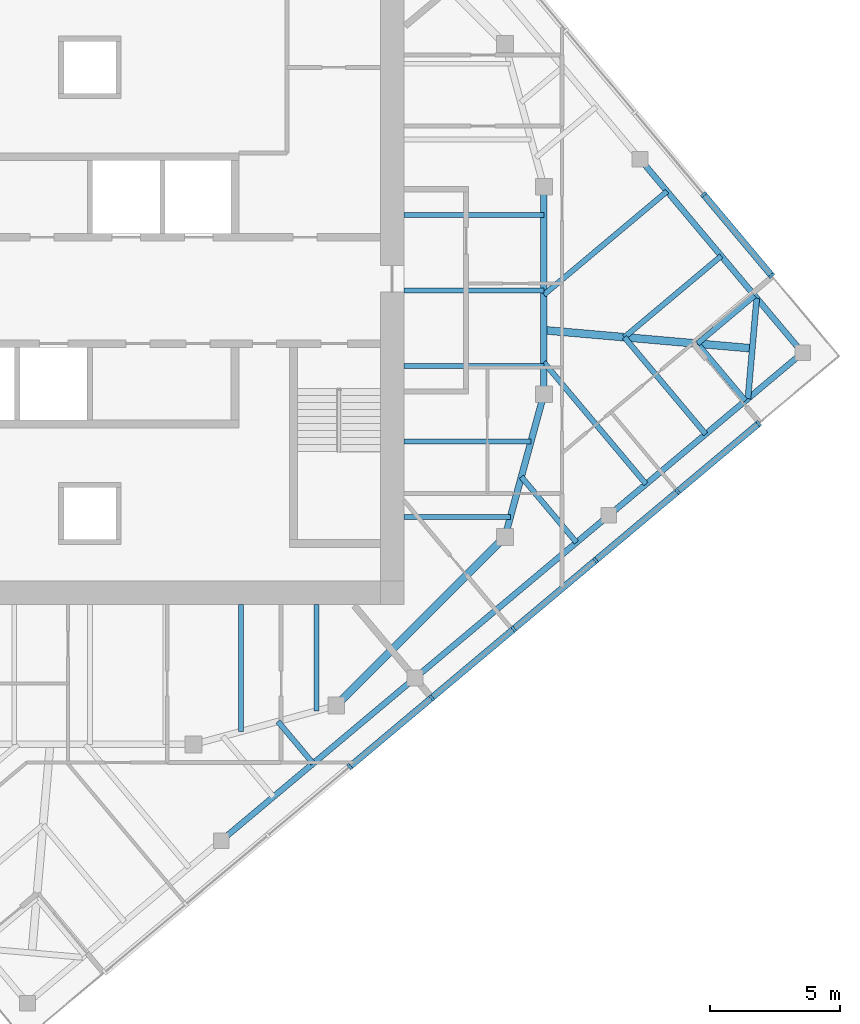
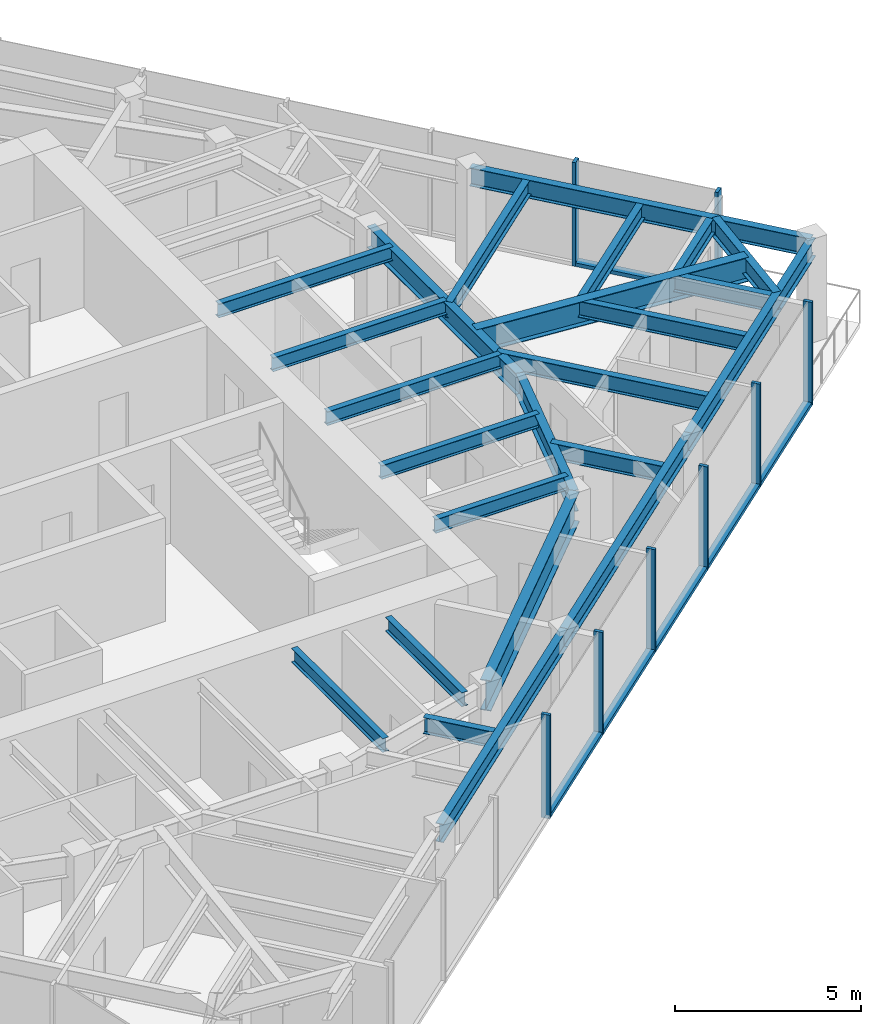
# One storey, part 3 of 12: 24 beams, 14 members, 2 elements without a shape of their own.
"""IFC4 building model written with IfcOpenShell, lengths in metres."""

from ifc_helpers import new_model, si_unit, direction, frame, origin, origin_2d, place, context, subcontext, project, spatial, rectangle, i_section, extrude, material, material_profile, profile_set, type_object, element, aggregate, save


model = new_model("IFC4")

# Units and contexts
model_context = context("Model", 3, precision=1e-05, world=origin(), true_north=direction((0.0, 1.0)))
body_context = subcontext(model_context, "Body", "Model", "MODEL_VIEW")
ifc_project = project(units=[si_unit("LENGTHUNIT", "METRE"), si_unit("AREAUNIT", "SQUARE_METRE"), si_unit("VOLUMEUNIT", "CUBIC_METRE"), si_unit("PLANEANGLEUNIT", "RADIAN"), si_unit("MASSUNIT", "GRAM", prefix="KILO")], contexts=[model_context])

# Site, building, storey
site_placement = place(None, origin())
site = spatial("IfcSite", under=ifc_project, at=site_placement, CompositionType="ELEMENT")
building_placement = place(site_placement, origin())
building = spatial("IfcBuilding", under=site, at=building_placement, Name="Torsade Residences", CompositionType="ELEMENT")
storey_placement = place(building_placement, frame((0.0, 0.0, 293.0)))
storey = spatial("IfcBuildingStorey", under=building, at=storey_placement, Name="L81", CompositionType="ELEMENT", Elevation=293.0)

# Beams
ifc_material_1 = material(Name="Steel grade 300", Category="steel")
ifc_material_profile_1 = material_profile(ifc_material_1, i_section(OverallWidth=0.300048828125, OverallDepth=0.800048828125, WebThickness=0.010009765625, FlangeThickness=0.02001953125, at=origin_2d()), Name="800WB146")
ifc_profile_set_1 = profile_set([ifc_material_profile_1], Name="Steel grade 300")
beam_type_1 = type_object("IfcBeamType", Name="CORNER GIRDER 800WB146", PredefinedType="BEAM", material=ifc_profile_set_1)
beam_1_placement = place(storey_placement, frame((65.53515625, 27.765869140625, 2.85009765625), z_axis=(-0.996193191806, 0.087172957961, 0.0), x_axis=(-0.087172957961, -0.996193191806, 0.0)))
element("IfcBeam", 1, at=beam_1_placement, inside=storey, type_object=beam_type_1, Name="Corner girder 05 L82", PredefinedType="BEAM", context=body_context, shape_type="SweptSolid", body=[
    extrude(i_section(OverallWidth=0.300048828125, OverallDepth=0.800048828125, WebThickness=0.010009765625, FlangeThickness=0.02001953125, at=origin_2d()), origin(), (0.0, 0.0, 1.0), 8.06591796875),
])
ifc_material_2 = material(Name="Steel grade 300", Category="steel")
ifc_material_profile_2 = material_profile(ifc_material_2, i_section(OverallWidth=0.22802734375, OverallDepth=0.60205078125, WebThickness=0.010498046875, FlangeThickness=0.014892578125, FilletRadius=0.013916015625, at=origin_2d()), Name="610UB101")
ifc_profile_set_2 = profile_set([ifc_material_profile_2], Name="Steel grade 300")
beam_type_2 = type_object("IfcBeamType", Name="CORNER TRIMMER 610UB101", PredefinedType="BEAM", material=ifc_profile_set_2)
beam_2_placement = place(storey_placement, frame((65.70458984375, 29.703125, 2.948974609375), z_axis=(-0.087133464362, -0.996196646947, 0.0), x_axis=(0.996196646947, -0.087133464362, 0.0)))
element("IfcBeam", 2, at=beam_2_placement, inside=storey, type_object=beam_type_2, Name="Corner trimmer 05 L82", PredefinedType="BEAM", context=body_context, shape_type="SweptSolid", body=[
    extrude(i_section(OverallWidth=0.22802734375, OverallDepth=0.60205078125, WebThickness=0.010498046875, FlangeThickness=0.014892578125, FilletRadius=0.013916015625, at=origin_2d()), origin(), (0.0, 0.0, 1.0), 3.88916015625),
])
ifc_material_3 = material(Name="Steel grade 300", Category="steel")
ifc_material_profile_3 = material_profile(ifc_material_3, i_section(OverallWidth=0.22802734375, OverallDepth=0.60205078125, WebThickness=0.010498046875, FlangeThickness=0.014892578125, FilletRadius=0.013916015625, at=origin_2d()), Name="610UB101")
ifc_profile_set_3 = profile_set([ifc_material_profile_3], Name="Steel grade 300")
beam_type_3 = type_object("IfcBeamType", Name="EDGE BEAM 610UB101", PredefinedType="SPANDREL", material=ifc_profile_set_3)
for number, where, z_axis, x_axis, name in (
    (3, (45.0654296875, 8.794921875, 2.948974609375), (0.766051532934, 0.642779160279, 0.0), (-0.642779160279, 0.766051532934, 0.0), "Edge beam 02 L82"),
    (4, (52.534423828125, 15.06201171875, 2.948974609375), (0.766028856906, 0.642806184154, 0.0), (-0.642806184154, 0.766028856906, 0.0), "Edge beam 03 L82"),
    (5, (60.003173828125, 21.329345703125, 2.948974609375), (0.766051532934, 0.642779160279, 0.0), (-0.642779160279, 0.766051532934, 0.0), "Edge beam 04 L82"),
    (6, (67.47216796875, 27.596435546875, 2.948974609375), (-0.642779160279, 0.766051532934, 0.0), (-0.766051532934, -0.642779160279, 0.0), "Edge beam 05 L82"),
):
    element("IfcBeam", number, at=place(storey_placement, frame(where, z_axis=z_axis, x_axis=x_axis)), inside=storey, type_object=beam_type_3, Name=name, PredefinedType="SPANDREL", context=body_context, shape_type="SweptSolid", body=[
        extrude(i_section(OverallWidth=0.22802734375, OverallDepth=0.60205078125, WebThickness=0.010498046875, FlangeThickness=0.014892578125, FilletRadius=0.013916015625, at=origin_2d()), origin(), (0.0, 0.0, 1.0), 9.75),
    ])

# Curtain wall, members
ifc_material_4 = material(Name="Aluminium and glass", Category="aluminium")
curtain_wall_type = type_object("IfcCurtainWallType", Name="FRITTED GLASS CURTAIN WALL HIGH ZONE", PredefinedType="NOTDEFINED", material=ifc_material_4)
curtain_wall_1_placement = place(storey_placement, origin())
curtain_wall_1 = element("IfcCurtainWall", 7, at=curtain_wall_1_placement, inside=storey, type_object=curtain_wall_type, Name="Curtain wall L81 face 1", PredefinedType="NOTDEFINED")
ifc_material_5 = material(Name="Aluminium mullion", Category="aluminium")
ifc_material_profile_4 = material_profile(ifc_material_5, rectangle(XDim=0.25, YDim=0.10009765625, at=origin_2d()), Name="HIGH ZONE CURTAIN WALL MULLION 250x100")
ifc_profile_set_4 = profile_set([ifc_material_profile_4], Name="Aluminium mullion")
member_type_1 = type_object("IfcMemberType", Name="HIGH ZONE CURTAIN WALL MULLION 250x100", PredefinedType="MULLION", material=ifc_profile_set_4)
member_1_placement = place(storey_placement, frame((50.017333984375, 11.64453125, 0.0), z_axis=(0.0, 0.0, 1.0), x_axis=(-0.642787616853, 0.766044437106, 0.0)))
member_1 = element("IfcMember", 8, at=member_1_placement, type_object=member_type_1, Name="Mullion 4", PredefinedType="MULLION", context=body_context, shape_type="SweptSolid", body=[
    extrude(rectangle(XDim=0.25, YDim=0.10009765625, at=origin_2d()), origin(), (0.0, 0.0, 1.0), 3.39990234375),
])
member_2_placement = place(storey_placement, frame((53.17724609375, 14.296142578125, 0.0), z_axis=(0.0, 0.0, 1.0), x_axis=(-0.642787616853, 0.766044437106, 0.0)))
member_2 = element("IfcMember", 9, at=member_2_placement, type_object=member_type_1, Name="Mullion 5", PredefinedType="MULLION", context=body_context, shape_type="SweptSolid", body=[
    extrude(rectangle(XDim=0.25, YDim=0.10009765625, at=origin_2d()), origin(), (0.0, 0.0, 1.0), 3.39990234375),
])
member_3_placement = place(storey_placement, frame((56.337158203125, 16.947509765625, 0.0), z_axis=(0.0, 0.0, 1.0), x_axis=(-0.642787616853, 0.766044437106, 0.0)))
member_3 = element("IfcMember", 10, at=member_3_placement, type_object=member_type_1, Name="Mullion 6", PredefinedType="MULLION", context=body_context, shape_type="SweptSolid", body=[
    extrude(rectangle(XDim=0.25, YDim=0.10009765625, at=origin_2d()), origin(), (0.0, 0.0, 1.0), 3.39990234375),
])
member_4_placement = place(storey_placement, frame((59.4970703125, 19.59912109375, 0.0), z_axis=(0.0, 0.0, 1.0), x_axis=(-0.642787616853, 0.766044437106, 0.0)))
member_4 = element("IfcMember", 11, at=member_4_placement, type_object=member_type_1, Name="Mullion 7", PredefinedType="MULLION", context=body_context, shape_type="SweptSolid", body=[
    extrude(rectangle(XDim=0.25, YDim=0.10009765625, at=origin_2d()), origin(), (0.0, 0.0, 1.0), 3.39990234375),
])
member_5_placement = place(storey_placement, frame((62.656982421875, 22.25048828125, 0.0), z_axis=(0.0, 0.0, 1.0), x_axis=(-0.642787616853, 0.766044437106, 0.0)))
member_5 = element("IfcMember", 12, at=member_5_placement, type_object=member_type_1, Name="Mullion 8", PredefinedType="MULLION", context=body_context, shape_type="SweptSolid", body=[
    extrude(rectangle(XDim=0.25, YDim=0.10009765625, at=origin_2d()), origin(), (0.0, 0.0, 1.0), 3.39990234375),
])
member_6_placement = place(storey_placement, frame((65.778564453125, 24.869873046875, 0.0), z_axis=(0.0, 0.0, 1.0), x_axis=(-0.642787616853, 0.766044437106, 0.0)))
member_6 = element("IfcMember", 13, at=member_6_placement, type_object=member_type_1, Name="Mullion 9", PredefinedType="MULLION", context=body_context, shape_type="SweptSolid", body=[
    extrude(rectangle(XDim=0.25, YDim=0.10009765625, at=origin_2d()), origin(), (0.0, 0.0, 1.0), 3.39990234375),
])

curtain_wall_2_placement = place(storey_placement, origin())
curtain_wall_2 = element("IfcCurtainWall", 14, at=curtain_wall_2_placement, inside=storey, type_object=curtain_wall_type, Name="Curtain wall L81 face 4", PredefinedType="NOTDEFINED")
member_7_placement = place(storey_placement, frame((66.27783203125, 30.57568359375, 0.0), z_axis=(0.0, 0.0, 1.0), x_axis=(-0.766044437106, -0.642787616853, 0.0)))
member_7 = element("IfcMember", 15, at=member_7_placement, type_object=member_type_1, Name="Mullion 1", PredefinedType="MULLION", context=body_context, shape_type="SweptSolid", body=[
    extrude(rectangle(XDim=0.25, YDim=0.10009765625, at=origin_2d()), origin(), (0.0, 0.0, 1.0), 3.39990234375),
])
member_8_placement = place(storey_placement, frame((63.658447265625, 33.697265625, 0.0), z_axis=(0.0, 0.0, 1.0), x_axis=(-0.766044437106, -0.642787616853, 0.0)))
member_8 = element("IfcMember", 16, at=member_8_placement, type_object=member_type_1, Name="Mullion 2", PredefinedType="MULLION", context=body_context, shape_type="SweptSolid", body=[
    extrude(rectangle(XDim=0.25, YDim=0.10009765625, at=origin_2d()), origin(), (0.0, 0.0, 1.0), 3.39990234375),
])

# Member
ifc_material_6 = material(Name="Aluminium transom", Category="aluminium")
ifc_material_profile_5 = material_profile(ifc_material_6, rectangle(XDim=0.25, YDim=0.1201171875, at=origin_2d()), Name="HIGH ZONE CURTAIN WALL TRANSOM 250x120")
ifc_profile_set_5 = profile_set([ifc_material_profile_5], Name="Aluminium transom")
member_type_2 = type_object("IfcMemberType", Name="HIGH ZONE CURTAIN WALL TRANSOM 250x120", PredefinedType="USERDEFINED", material=ifc_profile_set_5)
member_9_placement = place(storey_placement, frame((50.055419921875, 11.6767578125, 0.06005859375), z_axis=(0.766069182322, 0.6427581255, 0.0), x_axis=(-0.6427581255, 0.766069182322, 0.0)))
member_9 = element("IfcMember", 17, at=member_9_placement, type_object=member_type_2, Name="Transom 4.1", ObjectType="TRANSOM", PredefinedType="USERDEFINED", context=body_context, shape_type="SweptSolid", body=[
    extrude(rectangle(XDim=0.25, YDim=0.1201171875, at=origin_2d()), origin(), (0.0, 0.0, 1.0), 4.025146484375),
])

member_10_placement = place(storey_placement, frame((53.21533203125, 14.328125, 0.06005859375), z_axis=(0.766039316443, 0.642793719372, 0.0), x_axis=(-0.642793719372, 0.766039316443, 0.0)))
member_10 = element("IfcMember", 18, at=member_10_placement, type_object=member_type_2, Name="Transom 5.1", ObjectType="TRANSOM", PredefinedType="USERDEFINED", context=body_context, shape_type="SweptSolid", body=[
    extrude(rectangle(XDim=0.25, YDim=0.1201171875, at=origin_2d()), origin(), (0.0, 0.0, 1.0), 4.025146484375),
])

member_11_placement = place(storey_placement, frame((56.37548828125, 16.979736328125, 0.06005859375), z_axis=(0.766044121803, 0.642787992616, 0.0), x_axis=(-0.642787992616, 0.766044121803, 0.0)))
member_11 = element("IfcMember", 19, at=member_11_placement, type_object=member_type_2, Name="Transom 6.1", ObjectType="TRANSOM", PredefinedType="USERDEFINED", context=body_context, shape_type="SweptSolid", body=[
    extrude(rectangle(XDim=0.25, YDim=0.1201171875, at=origin_2d()), origin(), (0.0, 0.0, 1.0), 4.02490234375),
])

member_12_placement = place(storey_placement, frame((59.535400390625, 19.63134765625, 0.06005859375), z_axis=(0.766044121803, 0.642787992616, 0.0), x_axis=(-0.642787992616, 0.766044121803, 0.0)))
member_12 = element("IfcMember", 20, at=member_12_placement, type_object=member_type_2, Name="Transom 7.1", ObjectType="TRANSOM", PredefinedType="USERDEFINED", context=body_context, shape_type="SweptSolid", body=[
    extrude(rectangle(XDim=0.25, YDim=0.1201171875, at=origin_2d()), origin(), (0.0, 0.0, 1.0), 4.02490234375),
])

member_13_placement = place(storey_placement, frame((62.6953125, 22.28271484375, 0.06005859375), z_axis=(0.766021778456, 0.642814619413, 0.0), x_axis=(-0.642814619413, 0.766021778456, 0.0)))
member_13 = element("IfcMember", 21, at=member_13_placement, type_object=member_type_2, Name="Transom 8.1", ObjectType="TRANSOM", PredefinedType="USERDEFINED", context=body_context, shape_type="SweptSolid", body=[
    extrude(rectangle(XDim=0.25, YDim=0.1201171875, at=origin_2d()), origin(), (0.0, 0.0, 1.0), 3.97509765625),
])

aggregate(curtain_wall_1, [member_1, member_2, member_3, member_4, member_5, member_6, member_9, member_10, member_11, member_12, member_13])

member_14_placement = place(storey_placement, frame((66.24560546875, 30.614013671875, 0.06005859375), z_axis=(-0.642814619413, 0.766021778456, 0.0), x_axis=(-0.766021778456, -0.642814619413, 0.0)))
member_14 = element("IfcMember", 22, at=member_14_placement, type_object=member_type_2, Name="Transom 1.1", ObjectType="TRANSOM", PredefinedType="USERDEFINED", context=body_context, shape_type="SweptSolid", body=[
    extrude(rectangle(XDim=0.25, YDim=0.1201171875, at=origin_2d()), origin(), (0.0, 0.0, 1.0), 3.97509765625),
])

aggregate(curtain_wall_2, [member_7, member_8, member_14])

# Beams
ifc_material_7 = material(Name="Steel grade 300", Category="steel")
ifc_material_profile_6 = material_profile(ifc_material_7, i_section(OverallWidth=0.18994140625, OverallDepth=0.4541015625, WebThickness=0.008544921875, FlangeThickness=0.0126953125, FilletRadius=0.011474609375, at=origin_2d()), Name="460UB67.1")
ifc_profile_set_6 = profile_set([ifc_material_profile_6], Name="Steel grade 300")
beam_type_4 = type_object("IfcBeamType", Name="INNER FLOOR BEAM 460UB67.1", PredefinedType="JOIST", material=ifc_profile_set_6)
beam_3_placement = place(storey_placement, frame((48.737548828125, 17.89990234375, 3.02294921875), z_axis=(0.0, -1.0, 0.0), x_axis=(1.0, 0.0, 0.0)))
element("IfcBeam", 23, at=beam_3_placement, inside=storey, type_object=beam_type_4, Name="Inner floor beam IS01 L82", PredefinedType="JOIST", context=body_context, shape_type="SweptSolid", body=[
    extrude(i_section(OverallWidth=0.18994140625, OverallDepth=0.4541015625, WebThickness=0.008544921875, FlangeThickness=0.0126953125, FilletRadius=0.011474609375, at=origin_2d()), origin(), (0.0, 0.0, 1.0), 4.10791015625),
])
beam_4_placement = place(storey_placement, frame((45.824951171875, 17.89990234375, 3.02294921875), z_axis=(0.0, -1.0, 0.0), x_axis=(1.0, 0.0, 0.0)))
element("IfcBeam", 24, at=beam_4_placement, inside=storey, type_object=beam_type_4, Name="Inner floor beam IS02 L82", PredefinedType="JOIST", context=body_context, shape_type="SweptSolid", body=[
    extrude(i_section(OverallWidth=0.18994140625, OverallDepth=0.4541015625, WebThickness=0.008544921875, FlangeThickness=0.0126953125, FilletRadius=0.011474609375, at=origin_2d()), origin(), (0.0, 0.0, 1.0), 4.902099609375),
])
beam_5_placement = place(storey_placement, frame((52.10009765625, 21.262451171875, 3.02294921875), z_axis=(1.0, 0.0, 0.0), x_axis=(0.0, 1.0, 0.0)))
element("IfcBeam", 25, at=beam_5_placement, inside=storey, type_object=beam_type_4, Name="Inner floor beam IE01 L82", PredefinedType="JOIST", context=body_context, shape_type="SweptSolid", body=[
    extrude(i_section(OverallWidth=0.18994140625, OverallDepth=0.4541015625, WebThickness=0.008544921875, FlangeThickness=0.0126953125, FilletRadius=0.011474609375, at=origin_2d()), origin(), (0.0, 0.0, 1.0), 4.10791015625),
])
beam_6_placement = place(storey_placement, frame((52.10009765625, 24.175048828125, 3.02294921875), z_axis=(1.0, 0.0, 0.0), x_axis=(0.0, 1.0, 0.0)))
element("IfcBeam", 26, at=beam_6_placement, inside=storey, type_object=beam_type_4, Name="Inner floor beam IE02 L82", PredefinedType="JOIST", context=body_context, shape_type="SweptSolid", body=[
    extrude(i_section(OverallWidth=0.18994140625, OverallDepth=0.4541015625, WebThickness=0.008544921875, FlangeThickness=0.0126953125, FilletRadius=0.011474609375, at=origin_2d()), origin(), (0.0, 0.0, 1.0), 4.902099609375),
])
for number, where, z_axis, x_axis, name in (
    (27, (52.10009765625, 27.08740234375, 3.02294921875), (1.0, 0.0, 0.0), (0.0, 1.0, 0.0), "Inner floor beam IE03 L82"),
    (28, (52.10009765625, 30.0, 3.02294921875), (1.0, 0.0, 0.0), (0.0, 1.0, 0.0), "Inner floor beam IE04 L82"),
    (29, (52.10009765625, 32.91259765625, 3.02294921875), (1.0, 0.0, 0.0), (0.0, 1.0, 0.0), "Inner floor beam IE05 L82"),
):
    element("IfcBeam", number, at=place(storey_placement, frame(where, z_axis=z_axis, x_axis=x_axis)), inside=storey, type_object=beam_type_4, Name=name, PredefinedType="JOIST", context=body_context, shape_type="SweptSolid", body=[
        extrude(i_section(OverallWidth=0.18994140625, OverallDepth=0.4541015625, WebThickness=0.008544921875, FlangeThickness=0.0126953125, FilletRadius=0.011474609375, at=origin_2d()), origin(), (0.0, 0.0, 1.0), 5.39990234375),
    ])
ifc_material_8 = material(Name="Steel grade 300", Category="steel")
ifc_material_profile_7 = material_profile(ifc_material_8, i_section(OverallWidth=0.300048828125, OverallDepth=1.0, WebThickness=0.01611328125, FlangeThickness=0.028076171875, at=origin_2d()), Name="1000WB215")
ifc_profile_set_7 = profile_set([ifc_material_profile_7], Name="Steel grade 300")
beam_type_5 = type_object("IfcBeamType", Name="RING CORNER GIRDER 1000WB215", PredefinedType="BEAM", material=ifc_profile_set_7)
beam_7_placement = place(storey_placement, frame((49.5, 14.0, 2.75), z_axis=(0.707106781187, 0.707106781187, 0.0), x_axis=(-0.707106781187, 0.707106781187, 0.0)))
element("IfcBeam", 30, at=beam_7_placement, inside=storey, type_object=beam_type_5, Name="Ring girder IR15 L82", PredefinedType="BEAM", context=body_context, shape_type="SweptSolid", body=[
    extrude(i_section(OverallWidth=0.300048828125, OverallDepth=1.0, WebThickness=0.01611328125, FlangeThickness=0.028076171875, at=origin_2d()), origin(), (0.0, 0.0, 1.0), 9.1923828125),
])
ifc_material_9 = material(Name="Steel grade 300", Category="steel")
ifc_material_profile_8 = material_profile(ifc_material_9, i_section(OverallWidth=0.25, OverallDepth=0.699951171875, WebThickness=0.010009765625, FlangeThickness=0.02001953125, at=origin_2d()), Name="700WB130")
ifc_profile_set_8 = profile_set([ifc_material_profile_8], Name="Steel grade 300")
beam_type_6 = type_object("IfcBeamType", Name="RING GIRDER 700WB130", PredefinedType="BEAM", material=ifc_profile_set_8)
beam_8_placement = place(storey_placement, frame((57.5, 26.0, 2.89990234375), z_axis=(0.0, 1.0, 0.0), x_axis=(-1.0, 0.0, 0.0)))
element("IfcBeam", 31, at=beam_8_placement, inside=storey, type_object=beam_type_6, Name="Ring girder IR01 L82", PredefinedType="BEAM", context=body_context, shape_type="SweptSolid", body=[
    extrude(i_section(OverallWidth=0.25, OverallDepth=0.699951171875, WebThickness=0.010009765625, FlangeThickness=0.02001953125, at=origin_2d()), origin(), (0.0, 0.0, 1.0), 8.0),
])
beam_9_placement = place(storey_placement, frame((56.0, 20.5, 2.89990234375), z_axis=(0.263117405792, 0.964763821238, 0.0), x_axis=(-0.964763821238, 0.263117405792, 0.0)))
element("IfcBeam", 32, at=beam_9_placement, inside=storey, type_object=beam_type_6, Name="Ring girder IR16 L82", PredefinedType="BEAM", context=body_context, shape_type="SweptSolid", body=[
    extrude(i_section(OverallWidth=0.25, OverallDepth=0.699951171875, WebThickness=0.010009765625, FlangeThickness=0.02001953125, at=origin_2d()), origin(), (0.0, 0.0, 1.0), 5.700927734375),
])
ifc_material_10 = material(Name="Steel grade 300", Category="steel")
ifc_material_profile_9 = material_profile(ifc_material_10, i_section(OverallWidth=0.208984375, OverallDepth=0.532958984375, WebThickness=0.01025390625, FlangeThickness=0.015625, FilletRadius=0.013916015625, at=origin_2d()), Name="530UB92.4")
ifc_profile_set_9 = profile_set([ifc_material_profile_9], Name="Steel grade 300")
beam_type_7 = type_object("IfcBeamType", Name="SECONDARY BEAM 530UB92.4", PredefinedType="JOIST", material=ifc_profile_set_9)
beam_10_placement = place(storey_placement, frame((48.6083984375, 11.767822265625, 2.9833984375), z_axis=(-0.642771977004, 0.766057560226, 0.0), x_axis=(-0.766057560226, -0.642771977004, 0.0)))
element("IfcBeam", 33, at=beam_10_placement, inside=storey, type_object=beam_type_7, Name="Floor beam FS05 L82", PredefinedType="JOIST", context=body_context, shape_type="SweptSolid", body=[
    extrude(i_section(OverallWidth=0.208984375, OverallDepth=0.532958984375, WebThickness=0.01025390625, FlangeThickness=0.015625, FilletRadius=0.013916015625, at=origin_2d()), origin(), (0.0, 0.0, 1.0), 2.113037109375),
])
beam_11_placement = place(storey_placement, frame((58.758544921875, 20.28466796875, 2.9833984375), z_axis=(-0.642786956891, 0.766044990879, 0.0), x_axis=(-0.766044990879, -0.642786956891, 0.0)))
element("IfcBeam", 34, at=beam_11_placement, inside=storey, type_object=beam_type_7, Name="Floor beam FS09 L82", PredefinedType="JOIST", context=body_context, shape_type="SweptSolid", body=[
    extrude(i_section(OverallWidth=0.208984375, OverallDepth=0.532958984375, WebThickness=0.01025390625, FlangeThickness=0.015625, FilletRadius=0.013916015625, at=origin_2d()), origin(), (0.0, 0.0, 1.0), 3.307861328125),
])
beam_12_placement = place(storey_placement, frame((61.439697265625, 22.534423828125, 2.9833984375), z_axis=(-0.642794037701, 0.766039049329, 0.0), x_axis=(-0.766039049329, -0.642794037701, 0.0)))
element("IfcBeam", 35, at=beam_12_placement, inside=storey, type_object=beam_type_7, Name="Floor beam FS10 L82", PredefinedType="JOIST", context=body_context, shape_type="SweptSolid", body=[
    extrude(i_section(OverallWidth=0.208984375, OverallDepth=0.532958984375, WebThickness=0.01025390625, FlangeThickness=0.015625, FilletRadius=0.013916015625, at=origin_2d()), origin(), (0.0, 0.0, 1.0), 6.12890625),
])
beam_13_placement = place(storey_placement, frame((63.73779296875, 24.462890625, 2.9833984375), z_axis=(-0.642791490223, 0.766041186946, 0.0), x_axis=(-0.766041186946, -0.642791490223, 0.0)))
element("IfcBeam", 36, at=beam_13_placement, inside=storey, type_object=beam_type_7, Name="Floor beam FS11 L82", PredefinedType="JOIST", context=body_context, shape_type="SweptSolid", body=[
    extrude(i_section(OverallWidth=0.208984375, OverallDepth=0.532958984375, WebThickness=0.01025390625, FlangeThickness=0.015625, FilletRadius=0.013916015625, at=origin_2d()), origin(), (0.0, 0.0, 1.0), 4.875),
])
for number, where, z_axis, x_axis, name in (
    (37, (65.269775390625, 25.74853515625, 2.9833984375), (-0.642761807001, 0.766066093402, 0.0), (-0.766066093402, -0.642761807001, 0.0), "Floor beam FS12 L82"),
    (38, (65.624267578125, 29.798828125, 2.9833984375), (-0.766066093402, -0.642761807001, 0.0), (0.642761807001, -0.766066093402, 0.0), "Floor beam FE01 L82"),
):
    element("IfcBeam", number, at=place(storey_placement, frame(where, z_axis=z_axis, x_axis=x_axis)), inside=storey, type_object=beam_type_7, Name=name, PredefinedType="JOIST", context=body_context, shape_type="SweptSolid", body=[
        extrude(i_section(OverallWidth=0.208984375, OverallDepth=0.532958984375, WebThickness=0.01025390625, FlangeThickness=0.015625, FilletRadius=0.013916015625, at=origin_2d()), origin(), (0.0, 0.0, 1.0), 2.875),
    ])
beam_14_placement = place(storey_placement, frame((64.338623046875, 31.3310546875, 2.9833984375), z_axis=(-0.766016526982, -0.642820877376, 0.0), x_axis=(0.642820877376, -0.766016526982, 0.0)))
element("IfcBeam", 39, at=beam_14_placement, inside=storey, type_object=beam_type_7, Name="Floor beam FE02 L82", PredefinedType="JOIST", context=body_context, shape_type="SweptSolid", body=[
    extrude(i_section(OverallWidth=0.208984375, OverallDepth=0.532958984375, WebThickness=0.01025390625, FlangeThickness=0.015625, FilletRadius=0.013916015625, at=origin_2d()), origin(), (0.0, 0.0, 1.0), 4.875),
])
beam_15_placement = place(storey_placement, frame((62.24951171875, 33.820556640625, 2.9833984375), z_axis=(-0.766041422722, -0.642791209238, 0.0), x_axis=(0.642791209238, -0.766041422722, 0.0)))
element("IfcBeam", 40, at=beam_15_placement, inside=storey, type_object=beam_type_7, Name="Floor beam FE03 L82", PredefinedType="JOIST", context=body_context, shape_type="SweptSolid", body=[
    extrude(i_section(OverallWidth=0.208984375, OverallDepth=0.532958984375, WebThickness=0.01025390625, FlangeThickness=0.015625, FilletRadius=0.013916015625, at=origin_2d()), origin(), (0.0, 0.0, 1.0), 6.199951171875),
])

save(model, "model.ifc")
